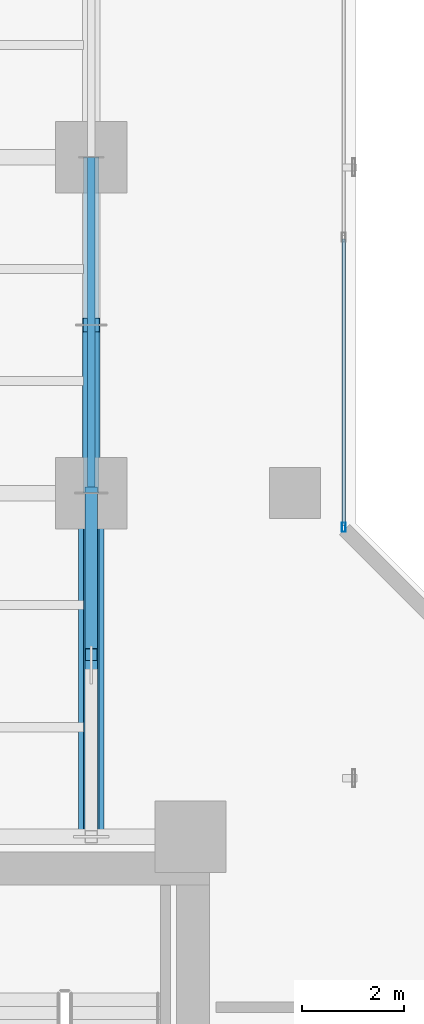
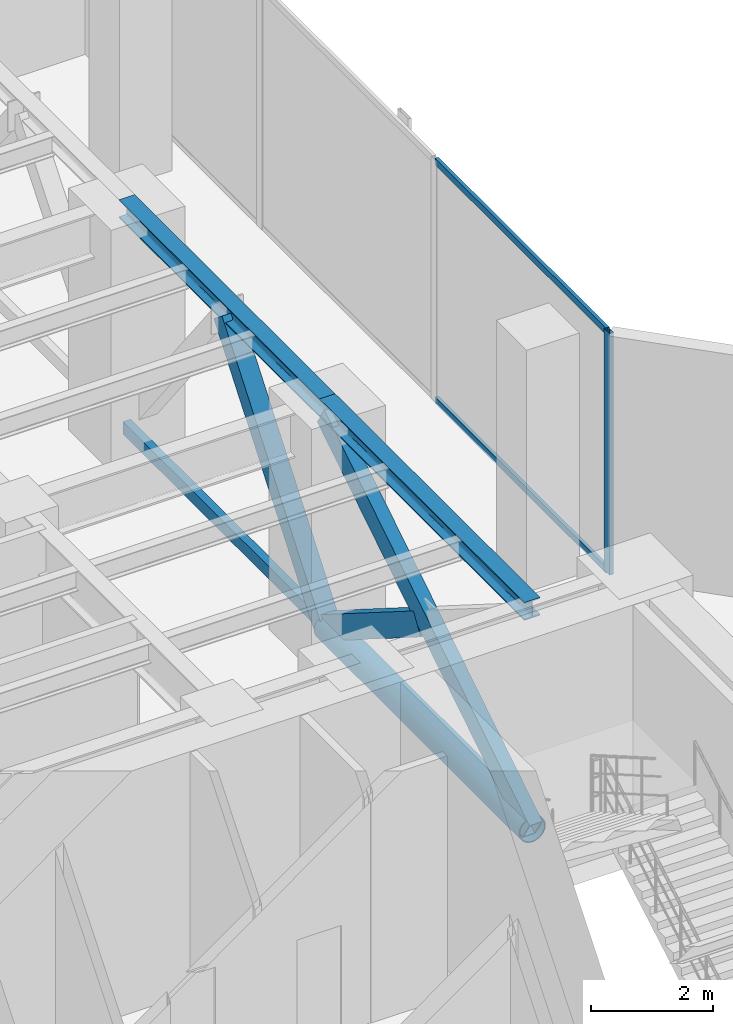
# One storey, part 13 of 37: 8 members, 2 beams, 1 element without a shape of its own.
"""IFC4 building model written with IfcOpenShell, lengths in metres."""

import ifcopenshell
import ifcopenshell.guid

model = None  # the IFC model being written
_history = None  # IfcOwnerHistory: only IFC2X3 demands one
_inside = {}  # id of a spatial element -> (the spatial element, [elements in it])
_under = {}  # id of a project, library or spatial element -> (it, [spatial elements below it])
_declared = {}  # id of a project -> (the project, [libraries it declares])
_typed = {}  # id of a type object -> (the type object, [elements of that type])
_made_of = {}  # id of a material, layer set ... -> (it, [elements and type objects made of it])


def new_model(schema):
    """Start an empty IFC model of exactly this schema.

    Asked for "IFC4X3", IfcOpenShell would pick the latest addendum, in which some entities
    have other attributes; the version numbers below select the first issue.
    IFC2X3 requires an IfcOwnerHistory on every rooted entity: one is made here for all.
    """
    global model, _history
    if schema == "IFC4X3":
        model = ifcopenshell.file(schema_version=(4, 3, 0, 0))
    else:
        model = ifcopenshell.file(schema=schema)
    _inside.clear()
    _under.clear()
    _declared.clear()
    _typed.clear()
    _made_of.clear()
    _history = None
    if model.schema == "IFC2X3":
        org = make("IfcOrganization", Name="unknown")
        user = make(
            "IfcPersonAndOrganization",
            ThePerson=make("IfcPerson", FamilyName="unknown"),
            TheOrganization=org,
        )
        app = make(
            "IfcApplication",
            ApplicationDeveloper=org,
            Version="unknown",
            ApplicationFullName="unknown",
            ApplicationIdentifier="unknown",
        )
        _history = make(
            "IfcOwnerHistory",
            OwningUser=user,
            OwningApplication=app,
            ChangeAction="ADDED",
            CreationDate=0,
        )
    return model


def make(cls, **values):
    """One entity of the class cls with the attributes given. An attribute that is None is left unset."""
    return model.create_entity(
        cls, **{name: value for name, value in values.items() if value is not None}
    )


def rooted(cls, **values):
    """An entity with a GlobalId (a new one), such as an element, a storey or a relation."""
    return make(cls, GlobalId=ifcopenshell.guid.new(), OwnerHistory=_history, **values)


def si_unit(unit_type, name, prefix=None):
    """IfcSIUnit, for example si_unit("LENGTHUNIT", "METRE", prefix="MILLI")."""
    return make("IfcSIUnit", UnitType=unit_type, Prefix=prefix, Name=name)


def assignment(units):
    """IfcUnitAssignment: the units of a project."""
    return None if units is None else make("IfcUnitAssignment", Units=units)


def point(xyz):
    """IfcCartesianPoint."""
    return None if xyz is None else make("IfcCartesianPoint", Coordinates=xyz)


def direction(xyz):
    """IfcDirection."""
    return None if xyz is None else make("IfcDirection", DirectionRatios=xyz)


def frame(location, z_axis=None, x_axis=None):
    """IfcAxis2Placement3D, a coordinate frame: its origin and axes. An axis left out is left unset."""
    return make(
        "IfcAxis2Placement3D",
        Location=point(location),
        Axis=direction(z_axis),
        RefDirection=direction(x_axis),
    )


def frame_2d(location, x_axis=None):
    """IfcAxis2Placement2D, a coordinate frame in the plane: its origin and x axis."""
    return make(
        "IfcAxis2Placement2D", Location=point(location), RefDirection=direction(x_axis)
    )


def origin():
    """The frame at (0, 0, 0) with its axes left unset."""
    return frame((0.0, 0.0, 0.0))


def origin_with_axes():
    """The frame at (0, 0, 0) with the z axis (0, 0, 1) and the x axis (1, 0, 0) written out."""
    return frame((0.0, 0.0, 0.0), z_axis=(0.0, 0.0, 1.0), x_axis=(1.0, 0.0, 0.0))


def origin_2d():
    """The frame at (0, 0) in the plane with its x axis left unset."""
    return frame_2d((0.0, 0.0))


def place(relative_to, where):
    """IfcLocalPlacement: puts the frame where relative to a parent placement (None: the world)."""
    return make(
        "IfcLocalPlacement", PlacementRelTo=relative_to, RelativePlacement=where
    )


def context(
    kind, dimensions, precision=None, world=None, true_north=None, identifier=None
):
    """IfcGeometricRepresentationContext, for example the 3D "Model" context."""
    return make(
        "IfcGeometricRepresentationContext",
        ContextIdentifier=identifier,
        ContextType=kind,
        CoordinateSpaceDimension=dimensions,
        Precision=precision,
        WorldCoordinateSystem=world,
        TrueNorth=true_north,
    )


def subcontext(parent, identifier, kind, view, scale=None):
    """IfcGeometricRepresentationSubContext, for example "Body" below "Model"."""
    return make(
        "IfcGeometricRepresentationSubContext",
        ContextIdentifier=identifier,
        ContextType=kind,
        ParentContext=parent,
        TargetScale=scale,
        TargetView=view,
    )


def project(units=None, contexts=None):
    """IfcProject with its units and contexts."""
    return rooted(
        "IfcProject",
        Name="project",
        RepresentationContexts=contexts,
        UnitsInContext=assignment(units),
    )


def spatial(cls, under=None, at=None, **own):
    """A site, building, storey or space (cls), placed at a placement, below another one or the project."""
    s = rooted(cls, ObjectPlacement=at, **own)
    if under is not None:
        _under.setdefault(under.id(), (under, []))[1].append(s)
    return s


def profile(cls, at=None, kind="AREA", **sizes):
    """A parametric profile (cls). Its sizes go by their IFC names, for example OverallWidth=200.0."""
    return make(cls, ProfileType=kind, Position=at, **sizes)


def hollow_rectangle(**sizes):
    """IfcRectangleHollowProfileDef."""
    return profile("IfcRectangleHollowProfileDef", **sizes)


def hollow_circle(**sizes):
    """IfcCircleHollowProfileDef."""
    return profile("IfcCircleHollowProfileDef", **sizes)


def i_section(**sizes):
    """IfcIShapeProfileDef."""
    return profile("IfcIShapeProfileDef", **sizes)


def extrude(swept, where, along, depth):
    """IfcExtrudedAreaSolid: the profile swept, set in the frame where, extruded along a direction by depth."""
    return make(
        "IfcExtrudedAreaSolid",
        SweptArea=swept,
        Position=where,
        ExtrudedDirection=direction(along),
        Depth=depth,
    )


def shape(context_of_items, identifier, shape_type, items):
    """IfcShapeRepresentation: the items that make up one representation, for example the "Body"."""
    return make(
        "IfcShapeRepresentation",
        ContextOfItems=context_of_items,
        RepresentationIdentifier=identifier,
        RepresentationType=shape_type,
        Items=items,
    )


def source(mapping_origin, context_of_items, identifier, shape_type, items):
    """IfcRepresentationMap: a shape defined once, which mapped items show again and again."""
    return make(
        "IfcRepresentationMap",
        MappingOrigin=mapping_origin,
        MappedRepresentation=shape(context_of_items, identifier, shape_type, items),
    )


def transform(
    local_origin,
    x_axis=None,
    y_axis=None,
    z_axis=None,
    scale=None,
    scale2=None,
    scale3=None,
    uniform=True,
):
    """IfcCartesianTransformationOperator3D, or its non-uniform kind. x_axis, y_axis, z_axis: its Axis1, 2, 3."""
    if uniform:
        return make(
            "IfcCartesianTransformationOperator3D",
            Axis1=direction(x_axis),
            Axis2=direction(y_axis),
            LocalOrigin=point(local_origin),
            Scale=scale,
            Axis3=direction(z_axis),
        )
    return make(
        "IfcCartesianTransformationOperator3DnonUniform",
        Axis1=direction(x_axis),
        Axis2=direction(y_axis),
        LocalOrigin=point(local_origin),
        Scale=scale,
        Axis3=direction(z_axis),
        Scale2=scale2,
        Scale3=scale3,
    )


def mapped(mapping_source, mapping_target):
    """IfcMappedItem: shows the shape of a source again, moved by a transform."""
    return make(
        "IfcMappedItem", MappingSource=mapping_source, MappingTarget=mapping_target
    )


def material(Name=None, Category=None):
    """IfcMaterial."""
    return make("IfcMaterial", Name=Name, Category=Category)


def layer(
    of_material, thickness, ventilated=None, Name=None, Category=None, Priority=None
):
    """IfcMaterialLayer: one layer of a wall or slab, of a material (None: an air gap)."""
    return make(
        "IfcMaterialLayer",
        Material=of_material,
        LayerThickness=thickness,
        IsVentilated=ventilated,
        Name=Name,
        Category=Category,
        Priority=Priority,
    )


def layer_set(layers, Name=None):
    """IfcMaterialLayerSet."""
    return make("IfcMaterialLayerSet", MaterialLayers=layers, LayerSetName=Name)


def material_profile(
    of_material, cross_section, Name=None, Category=None, Priority=None
):
    """IfcMaterialProfile: a cross section and its material."""
    return make(
        "IfcMaterialProfile",
        Name=Name,
        Material=of_material,
        Profile=cross_section,
        Priority=Priority,
        Category=Category,
    )


def profile_set(profiles, Name=None, composite=None):
    """IfcMaterialProfileSet."""
    return make(
        "IfcMaterialProfileSet",
        Name=Name,
        MaterialProfiles=profiles,
        CompositeProfile=composite,
    )


def made_of(thing, what):
    """Note that an element or type object is made of a material, layer set ...; save() writes the relation."""
    if what is not None:
        _made_of.setdefault(what.id(), (what, []))[1].append(thing)
    return thing


def type_object(cls, material=None, **own):
    """A type object (cls), such as IfcWallType, which elements share."""
    return made_of(rooted(cls, **own), material)


def element(
    cls,
    number,
    at=None,
    inside=None,
    cuts=None,
    type_object=None,
    material=None,
    context=None,
    identifier="Body",
    shape_type=None,
    held_by="IfcProductDefinitionShape",
    body=None,
    shapes=None,
    **own,
):
    """One element of the class cls, such as IfcWall. Its Tag is "e" and its number.

    at: its placement. inside: the storey or other place that contains it. cuts: it is an
    opening in that element (IfcRelVoidsElement). A single representation is given by context,
    identifier, shape_type and body (its items); several are given by shapes. held_by: the class
    of the entity that holds the representations. save() writes the other relations.
    """
    e = rooted(cls, Tag="e%d" % number, ObjectPlacement=at, **own)
    if body is not None:
        shapes = [shape(context, identifier, shape_type, body)]
    if shapes is not None:
        e.Representation = make(held_by, Representations=shapes)
    if inside is not None:
        _inside.setdefault(inside.id(), (inside, []))[1].append(e)
    if cuts is not None:
        rooted(
            "IfcRelVoidsElement", RelatingBuildingElement=cuts, RelatedOpeningElement=e
        )
    if type_object is not None:
        _typed.setdefault(type_object.id(), (type_object, []))[1].append(e)
    return made_of(e, material)


def aggregate(whole, parts):
    """IfcRelAggregates: a whole, such as a stair, and the parts it consists of."""
    return rooted("IfcRelAggregates", RelatingObject=whole, RelatedObjects=parts)


def save(model, path):
    """Write the relations noted so far, then the file.

    IfcRelAggregates (storeys below a building ...), IfcRelContainedInSpatialStructure (elements
    in a storey), IfcRelDefinesByType, IfcRelAssociatesMaterial and IfcRelDeclares: one each for
    every whole, place, type object, material and project.
    """
    for whole, parts in _under.values():
        aggregate(whole, parts)
    for where, things in _inside.values():
        rooted(
            "IfcRelContainedInSpatialStructure",
            RelatedElements=things,
            RelatingStructure=where,
        )
    for kind, things in _typed.values():
        rooted("IfcRelDefinesByType", RelatedObjects=things, RelatingType=kind)
    for what, things in _made_of.values():
        rooted("IfcRelAssociatesMaterial", RelatedObjects=things, RelatingMaterial=what)
    for by, libraries in _declared.values():
        rooted("IfcRelDeclares", RelatingContext=by, RelatedDefinitions=libraries)
    model.write(path)


model = new_model("IFC4")

# Units and contexts
model_context = context("Model", 3, precision=1e-05, world=origin(), true_north=direction((0.0, 1.0)))
body_context = subcontext(model_context, "Body", "Model", "MODEL_VIEW")
ifc_project = project(units=[si_unit("LENGTHUNIT", "METRE"), si_unit("AREAUNIT", "SQUARE_METRE"), si_unit("VOLUMEUNIT", "CUBIC_METRE"), si_unit("PLANEANGLEUNIT", "RADIAN"), si_unit("MASSUNIT", "GRAM", prefix="KILO")], contexts=[model_context])

# Site, building, storey
site_placement = place(None, origin())
site = spatial("IfcSite", under=ifc_project, at=site_placement, CompositionType="ELEMENT")
building_placement = place(site_placement, origin())
building = spatial("IfcBuilding", under=site, at=building_placement, Name="Kolvaren Waterfront Exchange", CompositionType="ELEMENT")
storey_placement = place(building_placement, frame((0.0, 0.0, 141.10009765625)))
storey = spatial("IfcBuildingStorey", under=building, at=storey_placement, Name="L36", CompositionType="ELEMENT", Elevation=141.10009765625)

# Beams
ifc_material_1 = material(Name="Steel S355", Category="steel")
ifc_material_profile_1 = material_profile(ifc_material_1, i_section(OverallWidth=0.300048828125, OverallDepth=0.360107421875, WebThickness=0.012451171875, FlangeThickness=0.0224609375, FilletRadius=0.027099609375, at=origin_2d()), Name="HEB360")
ifc_profile_set_1 = profile_set([ifc_material_profile_1], Name="Steel S355")
beam_type = type_object("IfcBeamType", Name="STR-BM-HEB360", PredefinedType="SPANDREL", material=ifc_profile_set_1)
beam_1_placement = place(storey_placement, frame((18.800048828125, 24.449951171875, 4.679931640625), z_axis=(0.0, 1.0, 0.0), x_axis=(-1.0, 0.0, 0.0)))
element("IfcBeam", 1, at=beam_1_placement, inside=storey, type_object=beam_type, Name="L36 north-arm edge beam 1", PredefinedType="SPANDREL", context=body_context, shape_type="SweptSolid", body=[
    extrude(i_section(OverallWidth=0.300048828125, OverallDepth=0.360107421875, WebThickness=0.012451171875, FlangeThickness=0.0224609375, FilletRadius=0.027099609375, at=origin_2d()), origin(), (0.0, 0.0, 1.0), 6.75),
])
beam_2_placement = place(storey_placement, frame((18.800048828125, 31.199951171875, 4.679931640625), z_axis=(0.0, 1.0, 0.0), x_axis=(-1.0, 0.0, 0.0)))
element("IfcBeam", 2, at=beam_2_placement, inside=storey, type_object=beam_type, Name="L36 north-arm edge beam 2", PredefinedType="SPANDREL", context=body_context, shape_type="SweptSolid", body=[
    extrude(i_section(OverallWidth=0.300048828125, OverallDepth=0.360107421875, WebThickness=0.012451171875, FlangeThickness=0.0224609375, FilletRadius=0.027099609375, at=origin_2d()), origin(), (0.0, 0.0, 1.0), 6.60009765625),
])

# Members
ifc_material_2 = material(Name="Steel S460", Category="steel")
ifc_material_profile_2 = material_profile(ifc_material_2, hollow_circle(Radius=0.25390625, WallThickness=0.02001953125, at=origin_2d()), Name="CHS508x20")
ifc_profile_set_2 = profile_set([ifc_material_profile_2], Name="Steel S460")
member_type_1 = type_object("IfcMemberType", Name="STR-BR-CHS508", PredefinedType="CHORD", material=ifc_profile_set_2)
member_1_placement = place(storey_placement, frame((18.800048828125, 24.449951171875, 0.25), z_axis=(0.0, 1.0, 0.0), x_axis=(-1.0, 0.0, 0.0)))
element("IfcMember", 3, at=member_1_placement, inside=storey, type_object=member_type_1, Name="L36 outrigger bottom chord OA4", PredefinedType="CHORD", context=body_context, shape_type="SweptSolid", body=[
    extrude(hollow_circle(Radius=0.25390625, WallThickness=0.02001953125, at=origin_2d()), origin(), (0.0, 0.0, 1.0), 6.75),
])
ifc_material_profile_3 = material_profile(ifc_material_2, hollow_rectangle(XDim=0.14990234375, YDim=0.25, WallThickness=0.010009765625, at=origin_2d()), Name="RHS250x150x10")
ifc_profile_set_3 = profile_set([ifc_material_profile_3], Name="Steel S460")
member_type_2 = type_object("IfcMemberType", Name="STR-BR-RHS250", PredefinedType="CHORD", material=ifc_profile_set_3)
member_2_placement = place(storey_placement, frame((18.800048828125, 31.199951171875, 0.25), z_axis=(0.0, 1.0, 0.0), x_axis=(-1.0, 0.0, 0.0)))
element("IfcMember", 4, at=member_2_placement, inside=storey, type_object=member_type_2, Name="L36 belt-truss bottom chord BT6", PredefinedType="CHORD", context=body_context, shape_type="SweptSolid", body=[
    extrude(hollow_rectangle(XDim=0.14990234375, YDim=0.25, WallThickness=0.010009765625, at=origin_2d()), origin(), (0.0, 0.0, 1.0), 6.60009765625),
])
ifc_material_profile_4 = material_profile(ifc_material_2, hollow_rectangle(XDim=0.25, YDim=0.449951171875, WallThickness=0.01611328125, at=origin_2d()), Name="RHS450x250x16")
ifc_profile_set_4 = profile_set([ifc_material_profile_4], Name="Steel S460")
member_type_3 = type_object("IfcMemberType", Name="STR-BR-RHS450", PredefinedType="BRACE", material=ifc_profile_set_4)
member_3_placement = place(storey_placement, frame((18.800048828125, 24.449951171875, 0.25), z_axis=(0.0, 0.845666926357, 0.533711016999), x_axis=(-1.0, 0.0, 0.0)))
element("IfcMember", 5, at=member_3_placement, inside=storey, type_object=member_type_3, Name="L36 outrigger diagonal OA4.1", PredefinedType="BRACE", context=body_context, shape_type="SweptSolid", body=[
    extrude(hollow_rectangle(XDim=0.25, YDim=0.449951171875, WallThickness=0.01611328125, at=origin_2d()), origin(), (0.0, 0.0, 1.0), 7.98193359375),
])
member_4_placement = place(storey_placement, frame((18.800048828125, 31.199951171875, 0.25), z_axis=(0.0, -0.845679099326, 0.5336917284), x_axis=(1.0, 0.0, 0.0)))
element("IfcMember", 6, at=member_4_placement, inside=storey, type_object=member_type_3, Name="L36 outrigger split diagonal OA4.2A", PredefinedType="BRACE", context=body_context, shape_type="SweptSolid", body=[
    extrude(hollow_rectangle(XDim=0.25, YDim=0.449951171875, WallThickness=0.01611328125, at=origin_2d()), origin(), (0.0, 0.0, 1.0), 3.750732421875),
])
ifc_material_profile_5 = material_profile(ifc_material_2, hollow_rectangle(XDim=0.35009765625, YDim=0.35009765625, WallThickness=0.01611328125, at=origin_2d()), Name="SHS350x350x16")
ifc_profile_set_5 = profile_set([ifc_material_profile_5], Name="Steel S460")
member_type_4 = type_object("IfcMemberType", Name="STR-BR-SHS350", PredefinedType="BRACE", material=ifc_profile_set_5)
member_5_placement = place(storey_placement, frame((18.800048828125, 31.199951171875, 0.25), z_axis=(0.0, 0.612402527517, 0.790546105101), x_axis=(-1.0, 0.0, 0.0)))
element("IfcMember", 7, at=member_5_placement, inside=storey, type_object=member_type_4, Name="L36 belt-truss chevron brace BT6L", PredefinedType="BRACE", context=body_context, shape_type="SweptSolid", body=[
    extrude(hollow_rectangle(XDim=0.35009765625, YDim=0.35009765625, WallThickness=0.01611328125, at=origin_2d()), origin(), (0.0, 0.0, 1.0), 5.388671875),
])

# Curtain wall, members
ifc_material_3 = material(Name="Anodised dark bronze spandrel aluminium", Category="aluminium")
ifc_layer = layer(ifc_material_3, 0.219970703125, Name="Anodised dark bronze spandrel aluminium")
ifc_layer_set = layer_set([ifc_layer], Name="Anodised dark bronze spandrel aluminium")
curtain_wall_type = type_object("IfcCurtainWallType", Name="ARC-CW-SYS6", PredefinedType="USERDEFINED", material=ifc_layer_set)
curtain_wall_placement = place(storey_placement, origin())
curtain_wall = element("IfcCurtainWall", 8, at=curtain_wall_placement, inside=storey, type_object=curtain_wall_type, Name="L36 stick curtain wall CW6 (CW-L36-NE)", ObjectType="STICK CURTAIN WALL", PredefinedType="USERDEFINED")
ifc_material_4 = material(Name="Anodised bronze aluminium 6063-T6", Category="aluminium")
ifc_material_profile_6 = material_profile(ifc_material_4, hollow_rectangle(XDim=0.074951171875, YDim=0.179931640625, WallThickness=0.00439453125, at=origin_2d()), Name="ALU-MUL-180x75x4.5")
ifc_profile_set_6 = profile_set([ifc_material_profile_6], Name="Anodised bronze aluminium 6063-T6")
member_type_5 = type_object("IfcMemberType", Name="ARC-CWM-180", PredefinedType="MULLION", material=ifc_profile_set_6)
shared_shape_1 = source(origin_with_axes(), body_context, "Body", "SweptSolid", [
    extrude(hollow_rectangle(XDim=0.074951171875, YDim=0.179931640625, WallThickness=0.00439453125, at=origin_2d()), origin(), (0.0, 0.0, 1.0), 4.85986328125),
])
member_6_placement = place(storey_placement, frame((23.760009765625, 30.527587890625, 0.0), z_axis=(0.0, 0.0, 1.0), x_axis=(-1.0, 0.0, 0.0)))
member_6 = element("IfcMember", 9, at=member_6_placement, type_object=member_type_5, Name="CW6 mullion 1", PredefinedType="MULLION", context=body_context, shape_type="MappedRepresentation", body=[
    mapped(shared_shape_1, transform((0.0, 0.0, 0.0), x_axis=(1.0, 0.0, 0.0), y_axis=(0.0, 1.0, 0.0), z_axis=(0.0, 0.0, 1.0), scale=1.0)),
])
ifc_material_profile_7 = material_profile(ifc_material_4, hollow_rectangle(XDim=0.06494140625, YDim=0.1298828125, WallThickness=0.00390625, at=origin_2d()), Name="ALU-TRN-130x65x4")
ifc_profile_set_7 = profile_set([ifc_material_profile_7], Name="Anodised bronze aluminium 6063-T6")
member_type_6 = type_object("IfcMemberType", Name="ARC-CWT-130", PredefinedType="USERDEFINED", material=ifc_profile_set_7)
shared_shape_2 = source(origin_with_axes(), body_context, "Body", "SweptSolid", [
    extrude(hollow_rectangle(XDim=0.06494140625, YDim=0.1298828125, WallThickness=0.00390625, at=origin_2d()), origin(), (0.0, 0.0, 1.0), 5.624267578125),
])
member_7_placement = place(storey_placement, frame((23.760009765625, 30.56494140625, 0.032470703125), z_axis=(0.0, 1.0, 0.0), x_axis=(-1.0, 0.0, 0.0)))
member_7 = element("IfcMember", 10, at=member_7_placement, type_object=member_type_6, Name="CW6 transom 1.1", ObjectType="TRANSOM", PredefinedType="USERDEFINED", context=body_context, shape_type="MappedRepresentation", body=[
    mapped(shared_shape_2, transform((0.0, 0.0, 0.0), x_axis=(1.0, 0.0, 0.0), y_axis=(0.0, 1.0, 0.0), z_axis=(0.0, 0.0, 1.0), scale=1.0)),
])
member_8_placement = place(storey_placement, frame((23.760009765625, 30.56494140625, 4.827392578125), z_axis=(0.0, 1.0, 0.0), x_axis=(-1.0, 0.0, 0.0)))
member_8 = element("IfcMember", 11, at=member_8_placement, type_object=member_type_6, Name="CW6 transom 1.2", ObjectType="TRANSOM", PredefinedType="USERDEFINED", context=body_context, shape_type="MappedRepresentation", body=[
    mapped(shared_shape_2, transform((0.0, 0.0, 0.0), x_axis=(1.0, 0.0, 0.0), y_axis=(0.0, 1.0, 0.0), z_axis=(0.0, 0.0, 1.0), scale=1.0)),
])
aggregate(curtain_wall, [member_6, member_7, member_8])

save(model, "model.ifc")
